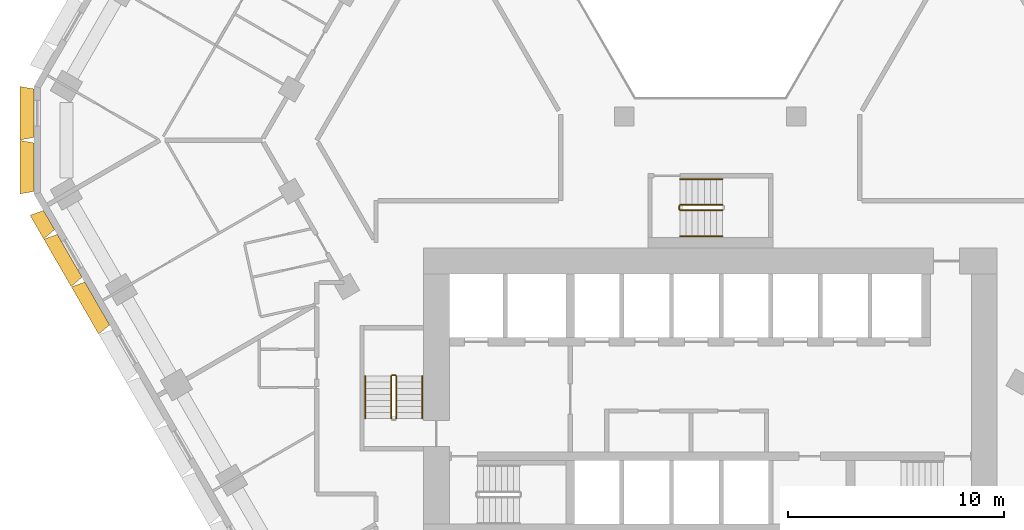
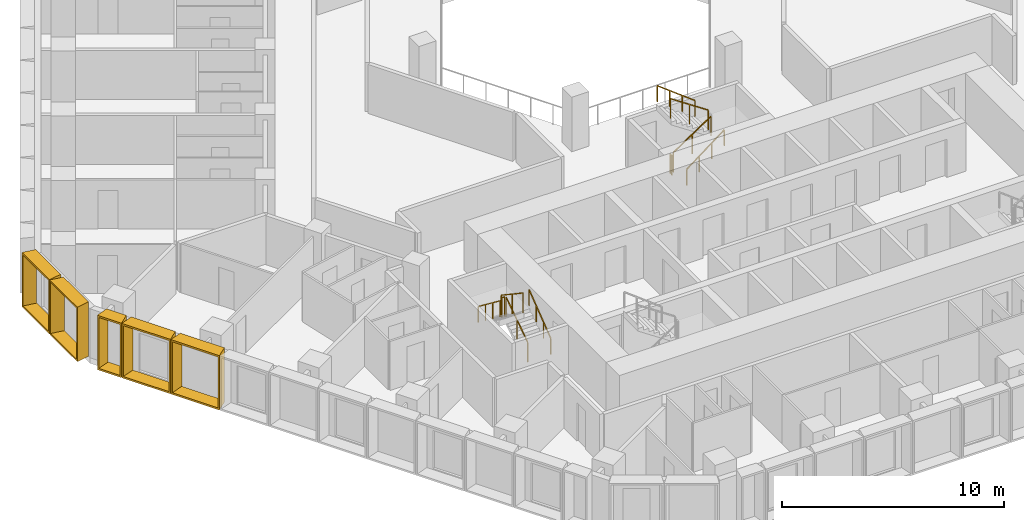
# One storey, part 14 of 16: 10 railings, 5 shading devices.
"""IFC4 building model written with IfcOpenShell, lengths in metres."""

from ifc_helpers import new_model, entity, si_unit, direction, frame, origin, origin_2d, place, context, subcontext, project, spatial, rectangle, extrude, source, transform, mapped, material, type_object, type_shapes, element, save


model = new_model("IFC4")

# Units and contexts
model_context = context("Model", 3, precision=1e-05, world=origin(), true_north=direction((0.0, 1.0)))
body_context = subcontext(model_context, "Body", "Model", "MODEL_VIEW")
ifc_project = project(units=[si_unit("LENGTHUNIT", "METRE"), si_unit("AREAUNIT", "SQUARE_METRE"), si_unit("VOLUMEUNIT", "CUBIC_METRE"), si_unit("PLANEANGLEUNIT", "RADIAN"), si_unit("MASSUNIT", "GRAM", prefix="KILO")], contexts=[model_context])

# Site, building, storey
site_placement = place(None, origin())
site = spatial("IfcSite", under=ifc_project, at=site_placement, CompositionType="ELEMENT")
building_placement = place(site_placement, origin())
building = spatial("IfcBuilding", under=site, at=building_placement, Name="Beryl Residences", CompositionType="ELEMENT")
storey_placement = place(building_placement, frame((0.0, 0.0, 44.39990234375)))
storey = spatial("IfcBuildingStorey", under=building, at=storey_placement, Name="L13", CompositionType="ELEMENT", Elevation=44.39990234375)

# Shading devices
ifc_material_1 = material(Name="Aluminium pale anodised", Category="aluminium")
shading_device_type_1 = type_object("IfcShadingDeviceType", Name="FR128-65A OUTER SKIN frame 650 mm deep, splay 10/10 deg, 1280 x 3000 mm cell", PredefinedType="USERDEFINED", material=ifc_material_1)
cartesian_point_1 = entity("IfcCartesianPoint", [-0.514892578125, 0.0])
cartesian_point_2 = entity("IfcCartesianPoint", [-0.433837890625, 0.10009765625])
cartesian_point_3 = entity("IfcCartesianPoint", [-0.629638671875, 0.0])
cartesian_point_4 = entity("IfcCartesianPoint", [-0.54833984375, 0.10009765625])
shared_shape_1 = source(origin(), body_context, "Body", "SweptSolid", [
    entity("IfcExtrudedAreaSolidTapered", entity("IfcArbitraryProfileDefWithVoids", "AREA", None, entity("IfcPolyline", [cartesian_point_1, entity("IfcCartesianPoint", [0.514892578125, 0.0]), entity("IfcCartesianPoint", [0.514892578125, 3.0]), entity("IfcCartesianPoint", [-0.514892578125, 3.0]), cartesian_point_1]), [entity("IfcPolyline", [cartesian_point_2, entity("IfcCartesianPoint", [0.433837890625, 0.10009765625]), entity("IfcCartesianPoint", [0.433837890625, 2.89990234375]), entity("IfcCartesianPoint", [-0.433837890625, 2.89990234375]), cartesian_point_2])]), entity("IfcAxis2Placement3D", entity("IfcCartesianPoint", [0.0, 0.0, 0.0]), entity("IfcDirection", [0.0, 1.0, 0.0]), entity("IfcDirection", [-1.0, 0.0, 0.0])), entity("IfcDirection", [0.0, 0.0, 1.0]), 0.64990234375, entity("IfcArbitraryProfileDefWithVoids", "AREA", None, entity("IfcPolyline", [cartesian_point_3, entity("IfcCartesianPoint", [0.629638671875, 0.0]), entity("IfcCartesianPoint", [0.629638671875, 3.0]), entity("IfcCartesianPoint", [-0.629638671875, 3.0]), cartesian_point_3]), [entity("IfcPolyline", [cartesian_point_4, entity("IfcCartesianPoint", [0.54833984375, 0.10009765625]), entity("IfcCartesianPoint", [0.54833984375, 2.89990234375]), entity("IfcCartesianPoint", [-0.54833984375, 2.89990234375]), cartesian_point_4])])),
])
type_shapes(shading_device_type_1, [shared_shape_1])
shading_device_placement = place(storey_placement, frame((-30.655029296875, -3.702880859375, 0.0), z_axis=(0.0, 0.0, 1.0), x_axis=(-0.5, 0.866025403784, 0.0)))
element("IfcShadingDevice", 1, at=shading_device_placement, inside=storey, type_object=shading_device_type_1, Name="FR128-65A frame L13 SW 1", ObjectType="OUTER SKIN", PredefinedType="USERDEFINED", context=body_context, shape_type="MappedRepresentation", body=[
    mapped(shared_shape_1, transform((0.0, 0.0, 0.0))),
])
ifc_material_2 = material(Name="Aluminium pale anodised", Category="aluminium")
shading_device_type_2 = type_object("IfcShadingDeviceType", Name="FR250-65A OUTER SKIN frame 650 mm deep, splay 10/10 deg, 2500 x 3000 mm cell", PredefinedType="USERDEFINED", material=ifc_material_2)
cartesian_point_5 = entity("IfcCartesianPoint", [-1.125, 0.0])
cartesian_point_6 = entity("IfcCartesianPoint", [-1.043701171875, 0.10009765625])
cartesian_point_7 = entity("IfcCartesianPoint", [-1.239501953125, 0.0])
cartesian_point_8 = entity("IfcCartesianPoint", [-1.158447265625, 0.10009765625])
shared_shape_2 = source(origin(), body_context, "Body", "SweptSolid", [
    entity("IfcExtrudedAreaSolidTapered", entity("IfcArbitraryProfileDefWithVoids", "AREA", None, entity("IfcPolyline", [cartesian_point_5, entity("IfcCartesianPoint", [1.125, 0.0]), entity("IfcCartesianPoint", [1.125, 3.0]), entity("IfcCartesianPoint", [-1.125, 3.0]), cartesian_point_5]), [entity("IfcPolyline", [cartesian_point_6, entity("IfcCartesianPoint", [1.043701171875, 0.10009765625]), entity("IfcCartesianPoint", [1.043701171875, 2.89990234375]), entity("IfcCartesianPoint", [-1.043701171875, 2.89990234375]), cartesian_point_6])]), entity("IfcAxis2Placement3D", entity("IfcCartesianPoint", [0.0, 0.0, 0.0]), entity("IfcDirection", [0.0, 1.0, 0.0]), entity("IfcDirection", [-1.0, 0.0, 0.0])), entity("IfcDirection", [0.0, 0.0, 1.0]), 0.64990234375, entity("IfcArbitraryProfileDefWithVoids", "AREA", None, entity("IfcPolyline", [cartesian_point_7, entity("IfcCartesianPoint", [1.239501953125, 0.0]), entity("IfcCartesianPoint", [1.239501953125, 3.0]), entity("IfcCartesianPoint", [-1.239501953125, 3.0]), cartesian_point_7]), [entity("IfcPolyline", [cartesian_point_8, entity("IfcCartesianPoint", [1.158447265625, 0.10009765625]), entity("IfcCartesianPoint", [1.158447265625, 2.89990234375]), entity("IfcCartesianPoint", [-1.158447265625, 2.89990234375]), cartesian_point_8])])),
])
type_shapes(shading_device_type_2, [shared_shape_2])
for number, where, z_axis, x_axis, name in (
    (2, (-31.35009765625, 1.25, 0.0), (0.0, 0.0, 1.0), (0.0, 1.0, 0.0), "FR250-65A frame L13 NW-SW 1"),
    (3, (-31.35009765625, -1.25, 0.0), (0.0, 0.0, 1.0), (0.0, 1.0, 0.0), "FR250-65A frame L13 NW-SW 2"),
):
    element("IfcShadingDevice", number, at=place(storey_placement, frame(where, z_axis=z_axis, x_axis=x_axis)), inside=storey, type_object=shading_device_type_2, Name=name, ObjectType="OUTER SKIN", PredefinedType="USERDEFINED", context=body_context, shape_type="MappedRepresentation", body=[
        mapped(shared_shape_2, transform((0.0, 0.0, 0.0))),
    ])
ifc_material_3 = material(Name="Aluminium pale anodised", Category="aluminium")
shading_device_type_3 = type_object("IfcShadingDeviceType", Name="FR255-65A OUTER SKIN frame 650 mm deep, splay 10/10 deg, 2550 x 3000 mm cell", PredefinedType="USERDEFINED", material=ifc_material_3)
cartesian_point_9 = entity("IfcCartesianPoint", [-1.14990234375, 0.0])
cartesian_point_10 = entity("IfcCartesianPoint", [-1.06884765625, 0.10009765625])
cartesian_point_11 = entity("IfcCartesianPoint", [-1.2646484375, 0.0])
cartesian_point_12 = entity("IfcCartesianPoint", [-1.183349609375, 0.10009765625])
shared_shape_3 = source(origin(), body_context, "Body", "SweptSolid", [
    entity("IfcExtrudedAreaSolidTapered", entity("IfcArbitraryProfileDefWithVoids", "AREA", None, entity("IfcPolyline", [cartesian_point_9, entity("IfcCartesianPoint", [1.14990234375, 0.0]), entity("IfcCartesianPoint", [1.14990234375, 3.0]), entity("IfcCartesianPoint", [-1.14990234375, 3.0]), cartesian_point_9]), [entity("IfcPolyline", [cartesian_point_10, entity("IfcCartesianPoint", [1.06884765625, 0.10009765625]), entity("IfcCartesianPoint", [1.06884765625, 2.89990234375]), entity("IfcCartesianPoint", [-1.06884765625, 2.89990234375]), cartesian_point_10])]), entity("IfcAxis2Placement3D", entity("IfcCartesianPoint", [0.0, 0.0, 0.0]), entity("IfcDirection", [0.0, 1.0, 0.0]), entity("IfcDirection", [-1.0, 0.0, 0.0])), entity("IfcDirection", [0.0, 0.0, 1.0]), 0.64990234375, entity("IfcArbitraryProfileDefWithVoids", "AREA", None, entity("IfcPolyline", [cartesian_point_11, entity("IfcCartesianPoint", [1.2646484375, 0.0]), entity("IfcCartesianPoint", [1.2646484375, 3.0]), entity("IfcCartesianPoint", [-1.2646484375, 3.0]), cartesian_point_11]), [entity("IfcPolyline", [cartesian_point_12, entity("IfcCartesianPoint", [1.183349609375, 0.10009765625]), entity("IfcCartesianPoint", [1.183349609375, 2.89990234375]), entity("IfcCartesianPoint", [-1.183349609375, 2.89990234375]), cartesian_point_12])])),
])
type_shapes(shading_device_type_3, [shared_shape_3])
for number, where, z_axis, x_axis, name in (
    (4, (-29.697998046875, -5.360107421875, 0.0), (0.0, 0.0, 1.0), (-0.5, 0.866025403784, 0.0), "FR255-65A frame L13 SW 2"),
    (5, (-28.422119140625, -7.570068359375, 0.0), (0.0, 0.0, 1.0), (-0.5, 0.866025403784, 0.0), "FR255-65A frame L13 SW 3"),
):
    element("IfcShadingDevice", number, at=place(storey_placement, frame(where, z_axis=z_axis, x_axis=x_axis)), inside=storey, type_object=shading_device_type_3, Name=name, ObjectType="OUTER SKIN", PredefinedType="USERDEFINED", context=body_context, shape_type="MappedRepresentation", body=[
        mapped(shared_shape_3, transform((0.0, 0.0, 0.0))),
    ])

# Railings
ifc_material_4 = material(Name="Stainless steel balustrade with glass infill", Category="steel")
railing_type_1 = type_object("IfcRailingType", Name="SG1 stair guard 1100 mm", PredefinedType="GUARDRAIL", material=ifc_material_4)
railing_1_placement = place(storey_placement, frame((-14.550048828125, -12.89990234375, 0.1875)))
element("IfcRailing", 6, at=railing_1_placement, inside=storey, type_object=railing_type_1, Name="L13 ST-2 stair guard 1", PredefinedType="GUARDRAIL", context=body_context, shape_type="SweptSolid", body=[
    extrude(rectangle(XDim=0.048095703125, YDim=0.048095703125, at=origin_2d()), frame((0.0, 0.0, 1.076171875), z_axis=(0.0, 0.830902050051, 0.556418712142), x_axis=(-1.0, 0.0, 0.0)), (0.0, 0.0, 1.0), 2.35888671875),
    extrude(rectangle(XDim=0.0419921875, YDim=0.0419921875, at=origin_2d()), origin(), (0.0, 0.0, 1.0), 1.052001953125),
    extrude(rectangle(XDim=0.0419921875, YDim=0.0419921875, at=origin_2d()), frame((0.0, 0.97998046875, 0.65625)), (0.0, 0.0, 1.0), 1.052001953125),
    extrude(rectangle(XDim=0.0419921875, YDim=0.0419921875, at=origin_2d()), frame((0.0, 1.9599609375, 1.3125)), (0.0, 0.0, 1.0), 1.052001953125),
])
railing_2_placement = place(storey_placement, frame((-14.60009765625, -10.889892578125, 1.5)))
element("IfcRailing", 7, at=railing_2_placement, inside=storey, type_object=railing_type_1, Name="L13 ST-2 stair guard 2", PredefinedType="GUARDRAIL", context=body_context, shape_type="SweptSolid", body=[
    extrude(rectangle(XDim=0.048095703125, YDim=0.048095703125, at=origin_2d()), frame((0.0, 0.0, 1.076171875), z_axis=(-1.0, 0.0, 0.0), x_axis=(0.0, -1.0, 0.0)), (0.0, 0.0, 1.0), 0.14990234375),
    extrude(rectangle(XDim=0.0419921875, YDim=0.0419921875, at=origin_2d()), origin(), (0.0, 0.0, 1.0), 1.052001953125),
    extrude(rectangle(XDim=0.0419921875, YDim=0.0419921875, at=origin_2d()), frame((-0.14990234375, 0.0, 0.0)), (0.0, 0.0, 1.0), 1.052001953125),
])
railing_3_placement = place(storey_placement, frame((-14.800048828125, -10.93994140625, 1.6875)))
element("IfcRailing", 8, at=railing_3_placement, inside=storey, type_object=railing_type_1, Name="L13 ST-2 stair guard 3", PredefinedType="GUARDRAIL", context=body_context, shape_type="SweptSolid", body=[
    extrude(rectangle(XDim=0.048095703125, YDim=0.048095703125, at=origin_2d()), frame((0.0, 0.0, 1.076171875), z_axis=(0.0, -0.830902050051, 0.556418712142), x_axis=(1.0, 0.0, 0.0)), (0.0, 0.0, 1.0), 2.35888671875),
    extrude(rectangle(XDim=0.0419921875, YDim=0.0419921875, at=origin_2d()), origin(), (0.0, 0.0, 1.0), 1.052001953125),
    extrude(rectangle(XDim=0.0419921875, YDim=0.0419921875, at=origin_2d()), frame((0.0, -0.97998046875, 0.65625)), (0.0, 0.0, 1.0), 1.052001953125),
    extrude(rectangle(XDim=0.0419921875, YDim=0.0419921875, at=origin_2d()), frame((0.0, -1.9599609375, 1.3125)), (0.0, 0.0, 1.0), 1.052001953125),
])
railing_4_placement = place(storey_placement, frame((-1.39990234375, -3.25, 0.1875)))
element("IfcRailing", 9, at=railing_4_placement, inside=storey, type_object=railing_type_1, Name="L13 ST-4 stair guard 1", PredefinedType="GUARDRAIL", context=body_context, shape_type="SweptSolid", body=[
    extrude(rectangle(XDim=0.048095703125, YDim=0.048095703125, at=origin_2d()), frame((0.0, 0.0, 1.076171875), z_axis=(0.830902050051, 0.0, 0.556418712142), x_axis=(0.0, 1.0, 0.0)), (0.0, 0.0, 1.0), 2.35888671875),
    extrude(rectangle(XDim=0.0419921875, YDim=0.0419921875, at=origin_2d()), origin(), (0.0, 0.0, 1.0), 1.052001953125),
    extrude(rectangle(XDim=0.0419921875, YDim=0.0419921875, at=origin_2d()), frame((0.97998046875, 0.0, 0.65625)), (0.0, 0.0, 1.0), 1.052001953125),
    extrude(rectangle(XDim=0.0419921875, YDim=0.0419921875, at=origin_2d()), frame((1.9599609375, 0.0, 1.3125)), (0.0, 0.0, 1.0), 1.052001953125),
])
railing_5_placement = place(storey_placement, frame((0.56005859375, -3.0, 1.6875)))
element("IfcRailing", 10, at=railing_5_placement, inside=storey, type_object=railing_type_1, Name="L13 ST-4 stair guard 3", PredefinedType="GUARDRAIL", context=body_context, shape_type="SweptSolid", body=[
    extrude(rectangle(XDim=0.048095703125, YDim=0.048095703125, at=origin_2d()), frame((0.0, 0.0, 1.076171875), z_axis=(-0.830902050051, 0.0, 0.556418712142), x_axis=(0.0, -1.0, 0.0)), (0.0, 0.0, 1.0), 2.35888671875),
    extrude(rectangle(XDim=0.0419921875, YDim=0.0419921875, at=origin_2d()), origin(), (0.0, 0.0, 1.0), 1.052001953125),
    extrude(rectangle(XDim=0.0419921875, YDim=0.0419921875, at=origin_2d()), frame((-0.97998046875, 0.0, 0.65625)), (0.0, 0.0, 1.0), 1.052001953125),
    extrude(rectangle(XDim=0.0419921875, YDim=0.0419921875, at=origin_2d()), frame((-1.9599609375, 0.0, 1.3125)), (0.0, 0.0, 1.0), 1.052001953125),
])
railing_6_placement = place(storey_placement, frame((-1.449951171875, -3.199951171875, 0.0)))
element("IfcRailing", 11, at=railing_6_placement, inside=storey, type_object=railing_type_1, Name="L13 ST-4 stair guard 4", PredefinedType="GUARDRAIL", context=body_context, shape_type="SweptSolid", body=[
    extrude(rectangle(XDim=0.048095703125, YDim=0.048095703125, at=origin_2d()), frame((0.0, 0.0, 1.076171875), z_axis=(0.0, 1.0, 0.0), x_axis=(-1.0, 0.0, 0.0)), (0.0, 0.0, 1.0), 0.14990234375),
    extrude(rectangle(XDim=0.0419921875, YDim=0.0419921875, at=origin_2d()), origin(), (0.0, 0.0, 1.0), 1.052001953125),
    extrude(rectangle(XDim=0.0419921875, YDim=0.0419921875, at=origin_2d()), frame((0.0, 0.14990234375, 0.0)), (0.0, 0.0, 1.0), 1.052001953125),
])
ifc_material_5 = material(Name="Stainless steel handrail", Category="steel")
railing_type_2 = type_object("IfcRailingType", Name="SRL1 stair handrail 900 mm", PredefinedType="HANDRAIL", material=ifc_material_5)
railing_7_placement = place(storey_placement, frame((-13.35009765625, -12.89990234375, 0.1875)))
element("IfcRailing", 12, at=railing_7_placement, inside=storey, type_object=railing_type_2, Name="L13 ST-2 stair handrail 1", PredefinedType="HANDRAIL", context=body_context, shape_type="SweptSolid", body=[
    extrude(rectangle(XDim=0.048095703125, YDim=0.048095703125, at=origin_2d()), frame((0.0, 0.0, 0.8759765625), z_axis=(0.0, 0.794121922505, 0.607758481798), x_axis=(-1.0, 0.0, 0.0)), (0.0, 0.0, 1.0), 2.468017578125),
    extrude(rectangle(XDim=0.0419921875, YDim=0.0419921875, at=origin_2d()), origin(), (0.0, 0.0, 1.0), 0.851806640625),
    extrude(rectangle(XDim=0.0419921875, YDim=0.0419921875, at=origin_2d()), frame((0.0, 0.6533203125, 0.5)), (0.0, 0.0, 1.0), 0.851806640625),
    extrude(rectangle(XDim=0.0419921875, YDim=0.0419921875, at=origin_2d()), frame((0.0, 1.306640625, 1.0)), (0.0, 0.0, 1.0), 0.851806640625),
    extrude(rectangle(XDim=0.0419921875, YDim=0.0419921875, at=origin_2d()), frame((0.0, 1.9599609375, 1.5)), (0.0, 0.0, 1.0), 0.851806640625),
])
railing_8_placement = place(storey_placement, frame((-16.0, -10.93994140625, 1.6875)))
element("IfcRailing", 13, at=railing_8_placement, inside=storey, type_object=railing_type_2, Name="L13 ST-2 stair handrail 2", PredefinedType="HANDRAIL", context=body_context, shape_type="SweptSolid", body=[
    extrude(rectangle(XDim=0.048095703125, YDim=0.048095703125, at=origin_2d()), frame((0.0, 0.0, 0.8759765625), z_axis=(0.0, -0.794121922505, 0.607758481798), x_axis=(1.0, 0.0, 0.0)), (0.0, 0.0, 1.0), 2.468017578125),
    extrude(rectangle(XDim=0.0419921875, YDim=0.0419921875, at=origin_2d()), origin(), (0.0, 0.0, 1.0), 0.851806640625),
    extrude(rectangle(XDim=0.0419921875, YDim=0.0419921875, at=origin_2d()), frame((0.0, -0.6533203125, 0.5)), (0.0, 0.0, 1.0), 0.851806640625),
    extrude(rectangle(XDim=0.0419921875, YDim=0.0419921875, at=origin_2d()), frame((0.0, -1.306640625, 1.0)), (0.0, 0.0, 1.0), 0.851806640625),
    extrude(rectangle(XDim=0.0419921875, YDim=0.0419921875, at=origin_2d()), frame((0.0, -1.9599609375, 1.5)), (0.0, 0.0, 1.0), 0.851806640625),
])
railing_9_placement = place(storey_placement, frame((-1.39990234375, -4.449951171875, 0.1875)))
element("IfcRailing", 14, at=railing_9_placement, inside=storey, type_object=railing_type_2, Name="L13 ST-4 stair handrail 1", PredefinedType="HANDRAIL", context=body_context, shape_type="SweptSolid", body=[
    extrude(rectangle(XDim=0.048095703125, YDim=0.048095703125, at=origin_2d()), frame((0.0, 0.0, 0.8759765625), z_axis=(0.794121922505, 0.0, 0.607758481798), x_axis=(0.0, 1.0, 0.0)), (0.0, 0.0, 1.0), 2.468017578125),
    extrude(rectangle(XDim=0.0419921875, YDim=0.0419921875, at=origin_2d()), origin(), (0.0, 0.0, 1.0), 0.851806640625),
    extrude(rectangle(XDim=0.0419921875, YDim=0.0419921875, at=origin_2d()), frame((0.6533203125, 0.0, 0.5)), (0.0, 0.0, 1.0), 0.851806640625),
    extrude(rectangle(XDim=0.0419921875, YDim=0.0419921875, at=origin_2d()), frame((1.306640625, 0.0, 1.0)), (0.0, 0.0, 1.0), 0.851806640625),
    extrude(rectangle(XDim=0.0419921875, YDim=0.0419921875, at=origin_2d()), frame((1.9599609375, 0.0, 1.5)), (0.0, 0.0, 1.0), 0.851806640625),
])
railing_10_placement = place(storey_placement, frame((0.56005859375, -1.800048828125, 1.6875)))
element("IfcRailing", 15, at=railing_10_placement, inside=storey, type_object=railing_type_2, Name="L13 ST-4 stair handrail 2", PredefinedType="HANDRAIL", context=body_context, shape_type="SweptSolid", body=[
    extrude(rectangle(XDim=0.048095703125, YDim=0.048095703125, at=origin_2d()), frame((0.0, 0.0, 0.8759765625), z_axis=(-0.794121922505, 0.0, 0.607758481798), x_axis=(0.0, -1.0, 0.0)), (0.0, 0.0, 1.0), 2.468017578125),
    extrude(rectangle(XDim=0.0419921875, YDim=0.0419921875, at=origin_2d()), origin(), (0.0, 0.0, 1.0), 0.851806640625),
    extrude(rectangle(XDim=0.0419921875, YDim=0.0419921875, at=origin_2d()), frame((-0.6533203125, 0.0, 0.5)), (0.0, 0.0, 1.0), 0.851806640625),
    extrude(rectangle(XDim=0.0419921875, YDim=0.0419921875, at=origin_2d()), frame((-1.306640625, 0.0, 1.0)), (0.0, 0.0, 1.0), 0.851806640625),
    extrude(rectangle(XDim=0.0419921875, YDim=0.0419921875, at=origin_2d()), frame((-1.9599609375, 0.0, 1.5)), (0.0, 0.0, 1.0), 0.851806640625),
])

save(model, "model.ifc")
